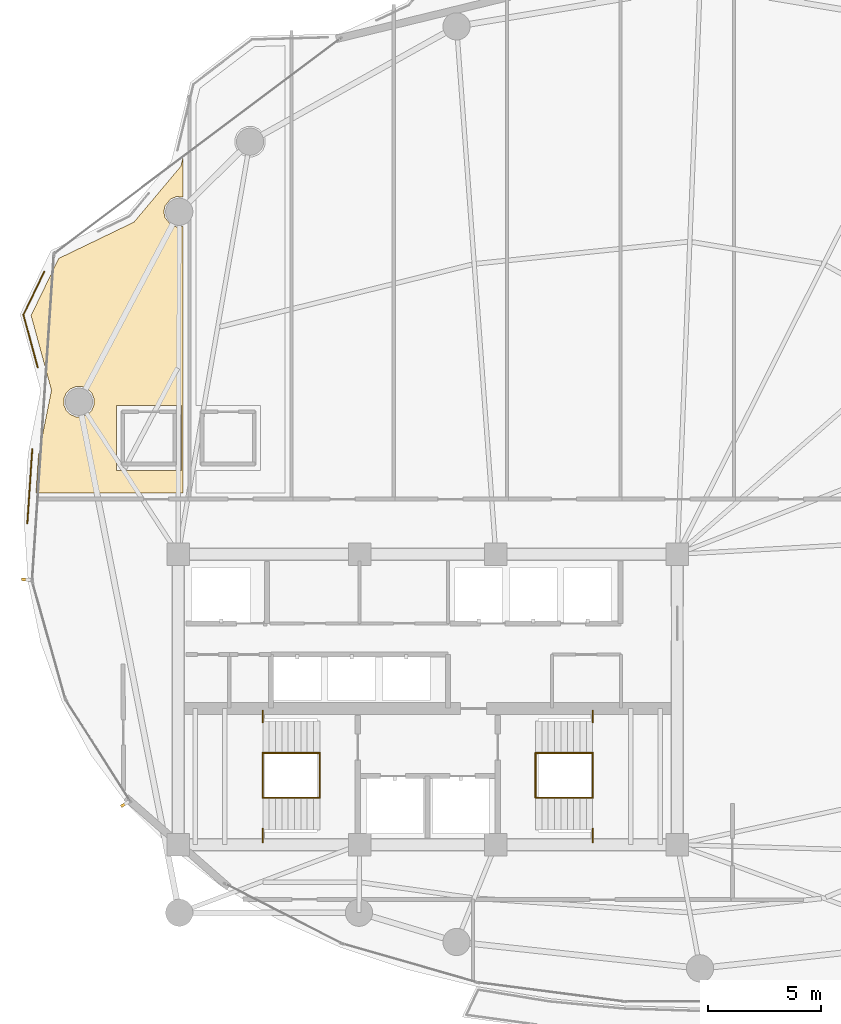
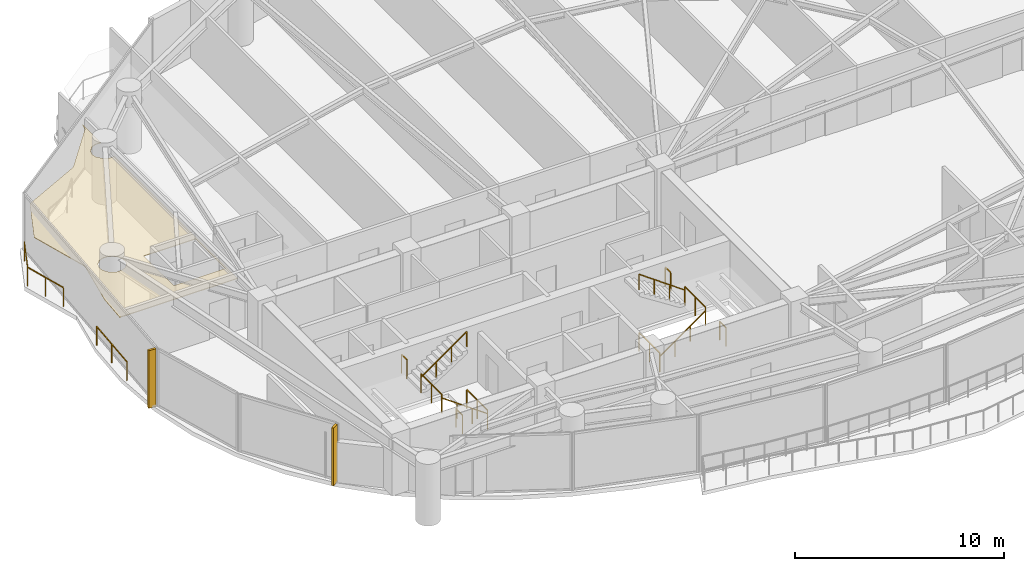
# One storey, part 28 of 30: 14 railings, 2 shading devices, 1 covering.
"""IFC4 building model written with IfcOpenShell, lengths in metres."""

from ifc_helpers import new_model, si_unit, direction, frame, origin, origin_2d, place, context, subcontext, project, spatial, polyline, rectangle, outline, extrude, material, layer, layer_set, type_object, element, save


model = new_model("IFC4")

# Units and contexts
model_context = context("Model", 3, precision=1e-05, world=origin(), true_north=direction((0.0, 1.0)))
body_context = subcontext(model_context, "Body", "Model", "MODEL_VIEW")
ifc_project = project(units=[si_unit("LENGTHUNIT", "METRE"), si_unit("AREAUNIT", "SQUARE_METRE"), si_unit("VOLUMEUNIT", "CUBIC_METRE"), si_unit("PLANEANGLEUNIT", "RADIAN"), si_unit("MASSUNIT", "GRAM", prefix="KILO")], contexts=[model_context])

# Site, building, storey
site_placement = place(None, origin())
site = spatial("IfcSite", under=ifc_project, at=site_placement, CompositionType="ELEMENT")
building_placement = place(site_placement, origin())
building = spatial("IfcBuilding", under=site, at=building_placement, Name="Kazevale Care Tower and Concert Hall", CompositionType="ELEMENT")
storey_placement = place(building_placement, frame((0.0, 0.0, 127.800048828125)))
storey = spatial("IfcBuildingStorey", under=building, at=storey_placement, Name="L33", CompositionType="ELEMENT", Elevation=127.800048828125)

# Covering
ifc_material_1 = material(Name="Acoustic Plaster and Hinoki Wood", Category="wood")
ifc_layer = layer(ifc_material_1, 0.0400390625)
ifc_layer_set = layer_set([ifc_layer], Name="Acoustic Plaster and Hinoki Wood")
covering_type = type_object("IfcCoveringType", Name="Acoustic Perforated Wood-Gypsum Ceiling", PredefinedType="CEILING", material=ifc_layer_set)
covering_placement = place(storey_placement, frame((0.0, 0.0, 2.7099609375)))
element("IfcCovering", 1, at=covering_placement, inside=storey, type_object=covering_type, Name="clg:L33:1", PredefinedType="CEILING", context=body_context, shape_type="SweptSolid", body=[
    extrude(outline(polyline([(15.52099609375, 46.922119140625), (16.738037109375, 49.43505859375), (20.055908203125, 51.035888671875), (22.123046875, 53.4990234375), (22.219970703125, 53.89794921875), (22.219970703125, 52.14599609375), (21.9169921875, 52.156982421875), (21.672119140625, 52.054931640625), (21.422119140625, 51.75), (21.3701171875, 51.489990234375), (21.422119140625, 51.22998046875), (21.672119140625, 50.925048828125), (21.9169921875, 50.822998046875), (22.219970703125, 50.833984375), (22.219970703125, 39.10498046875), (15.73388671875, 39.10498046875), (15.843994140625, 40.760986328125), (16.419921875, 43.6240234375), (15.52099609375, 46.922119140625)]), holes=[polyline([(19.278076171875, 40.094970703125), (22.137939453125, 40.094970703125), (22.137939453125, 42.955078125), (19.278076171875, 42.955078125), (19.278076171875, 40.094970703125)]), polyline([(18.297119140625, 43.2529296875), (18.195068359375, 43.498046875), (18.008056640625, 43.68505859375), (17.762939453125, 43.787109375), (17.4970703125, 43.787109375), (17.251953125, 43.68505859375), (17.06494140625, 43.498046875), (16.962890625, 43.2529296875), (16.962890625, 42.987060546875), (17.06494140625, 42.741943359375), (17.251953125, 42.554931640625), (17.4970703125, 42.452880859375), (17.762939453125, 42.452880859375), (18.008056640625, 42.554931640625), (18.195068359375, 42.741943359375), (18.297119140625, 42.987060546875), (18.297119140625, 43.2529296875)])]), origin(), (0.0, 0.0, 1.0), 0.0400390625),
])

# Railings
ifc_material_2 = material(Name="Anodised Bronze Aluminium and Laminated Glass", Category="aluminium")
railing_type_1 = type_object("IfcRailingType", Name="Balcony and Terrace Balustrade 1120", PredefinedType="BALUSTRADE", material=ifc_material_2)
railing_1_placement = place(storey_placement, frame((15.35498046875, 37.77294921875, 0.0)))
element("IfcRailing", 2, at=railing_1_placement, inside=storey, type_object=railing_type_1, Name="rail:L33:perim:1", PredefinedType="BALUSTRADE", context=body_context, shape_type="SweptSolid", body=[
    extrude(rectangle(XDim=0.048095703125, YDim=0.048095703125, at=origin_2d()), frame((0.0, 0.0, 1.09619140625), z_axis=(0.066667660785, 0.997775236717, 0.0), x_axis=(-0.997775236717, 0.066667660785, 0.0)), (0.0, 0.0, 1.0), 3.270263671875),
    extrude(rectangle(XDim=0.0419921875, YDim=0.0419921875, at=origin_2d()), origin(), (0.0, 0.0, 1.0), 1.072021484375),
    extrude(rectangle(XDim=0.0419921875, YDim=0.0419921875, at=origin_2d()), frame((0.10888671875, 1.63134765625, 0.0)), (0.0, 0.0, 1.0), 1.072021484375),
    extrude(rectangle(XDim=0.0419921875, YDim=0.0419921875, at=origin_2d()), frame((0.218017578125, 3.262939453125, 0.0)), (0.0, 0.0, 1.0), 1.072021484375),
])
railing_2_placement = place(storey_placement, frame((15.81298828125, 44.631103515625, 0.0)))
element("IfcRailing", 3, at=railing_2_placement, inside=storey, type_object=railing_type_1, Name="rail:L33:perim:2", PredefinedType="BALUSTRADE", context=body_context, shape_type="SweptSolid", body=[
    extrude(rectangle(XDim=0.048095703125, YDim=0.048095703125, at=origin_2d()), frame((0.0, 0.0, 1.09619140625), z_axis=(-0.262679540439, 0.96488313232, 0.0), x_axis=(-0.96488313232, -0.262679540439, 0.0)), (0.0, 0.0, 1.0), 2.40625),
    extrude(rectangle(XDim=0.048095703125, YDim=0.048095703125, at=origin_2d()), frame((-0.632080078125, 2.32177734375, 1.09619140625), z_axis=(0.435530489305, 0.900173979232, 0.0), x_axis=(-0.900173979232, 0.435530489305, 0.0)), (0.0, 0.0, 1.0), 2.096435546875),
    extrude(rectangle(XDim=0.0419921875, YDim=0.0419921875, at=origin_2d()), origin(), (0.0, 0.0, 1.0), 1.072021484375),
    extrude(rectangle(XDim=0.0419921875, YDim=0.0419921875, at=origin_2d()), frame((-0.31591796875, 1.160888671875, 0.0)), (0.0, 0.0, 1.0), 1.072021484375),
    extrude(rectangle(XDim=0.0419921875, YDim=0.0419921875, at=origin_2d()), frame((-0.632080078125, 2.32177734375, 0.0)), (0.0, 0.0, 1.0), 1.072021484375),
    extrude(rectangle(XDim=0.0419921875, YDim=0.0419921875, at=origin_2d()), frame((0.281005859375, 4.208984375, 0.0)), (0.0, 0.0, 1.0), 1.072021484375),
])
ifc_material_3 = material(Name="Stainless Steel 316", Category="steel")
railing_type_2 = type_object("IfcRailingType", Name="Stair Pitch Handrail 920", PredefinedType="HANDRAIL", material=ifc_material_3)
railing_3_placement = place(storey_placement, frame((28.25, 25.659912109375, 0.0)))
element("IfcRailing", 4, at=railing_3_placement, inside=storey, type_object=railing_type_2, Name="stair:L33:ST1:hr1", PredefinedType="HANDRAIL", context=body_context, shape_type="SweptSolid", body=[
    extrude(rectangle(XDim=0.048095703125, YDim=0.048095703125, at=origin_2d()), frame((0.0, 0.0, 0.89599609375), z_axis=(-0.813728144527, 0.0, 0.581245650998), x_axis=(0.0, -1.0, 0.0)), (0.0, 0.0, 1.0), 3.096923828125),
    extrude(rectangle(XDim=0.0419921875, YDim=0.0419921875, at=origin_2d()), origin(), (0.0, 0.0, 1.0), 0.871826171875),
    extrude(rectangle(XDim=0.0419921875, YDim=0.0419921875, at=origin_2d()), frame((-0.840087890625, 0.0, 0.60009765625)), (0.0, 0.0, 1.0), 0.871826171875),
    extrude(rectangle(XDim=0.0419921875, YDim=0.0419921875, at=origin_2d()), frame((-1.679931640625, 0.0, 1.199951171875)), (0.0, 0.0, 1.0), 0.871826171875),
    extrude(rectangle(XDim=0.0419921875, YDim=0.0419921875, at=origin_2d()), frame((-2.52001953125, 0.0, 1.800048828125)), (0.0, 0.0, 1.0), 0.871826171875),
])
railing_4_placement = place(storey_placement, frame((25.72998046875, 27.639892578125, 1.800048828125)))
element("IfcRailing", 5, at=railing_4_placement, inside=storey, type_object=railing_type_2, Name="stair:L33:ST1:hr2", PredefinedType="HANDRAIL", context=body_context, shape_type="SweptSolid", body=[
    extrude(rectangle(XDim=0.048095703125, YDim=0.048095703125, at=origin_2d()), frame((0.0, 0.0, 0.89599609375), z_axis=(0.813765431312, 0.0, 0.581193446971), x_axis=(0.0, 1.0, 0.0)), (0.0, 0.0, 1.0), 3.0966796875),
    extrude(rectangle(XDim=0.0419921875, YDim=0.0419921875, at=origin_2d()), origin(), (0.0, 0.0, 1.0), 0.871826171875),
    extrude(rectangle(XDim=0.0419921875, YDim=0.0419921875, at=origin_2d()), frame((0.840087890625, 0.0, 0.599853515625)), (0.0, 0.0, 1.0), 0.871826171875),
    extrude(rectangle(XDim=0.0419921875, YDim=0.0419921875, at=origin_2d()), frame((1.679931640625, 0.0, 1.199951171875)), (0.0, 0.0, 1.0), 0.871826171875),
    extrude(rectangle(XDim=0.0419921875, YDim=0.0419921875, at=origin_2d()), frame((2.52001953125, 0.0, 1.7998046875)), (0.0, 0.0, 1.0), 0.871826171875),
])
railing_5_placement = place(storey_placement, frame((37.75, 25.659912109375, 0.0)))
element("IfcRailing", 6, at=railing_5_placement, inside=storey, type_object=railing_type_2, Name="stair:L33:ST2:hr1", PredefinedType="HANDRAIL", context=body_context, shape_type="SweptSolid", body=[
    extrude(rectangle(XDim=0.048095703125, YDim=0.048095703125, at=origin_2d()), frame((0.0, 0.0, 0.89599609375), z_axis=(0.813728144527, 0.0, 0.581245650998), x_axis=(0.0, 1.0, 0.0)), (0.0, 0.0, 1.0), 3.096923828125),
    extrude(rectangle(XDim=0.0419921875, YDim=0.0419921875, at=origin_2d()), origin(), (0.0, 0.0, 1.0), 0.871826171875),
    extrude(rectangle(XDim=0.0419921875, YDim=0.0419921875, at=origin_2d()), frame((0.840087890625, 0.0, 0.60009765625)), (0.0, 0.0, 1.0), 0.871826171875),
    extrude(rectangle(XDim=0.0419921875, YDim=0.0419921875, at=origin_2d()), frame((1.679931640625, 0.0, 1.199951171875)), (0.0, 0.0, 1.0), 0.871826171875),
    extrude(rectangle(XDim=0.0419921875, YDim=0.0419921875, at=origin_2d()), frame((2.52001953125, 0.0, 1.800048828125)), (0.0, 0.0, 1.0), 0.871826171875),
])
railing_6_placement = place(storey_placement, frame((40.27001953125, 27.639892578125, 1.800048828125)))
element("IfcRailing", 7, at=railing_6_placement, inside=storey, type_object=railing_type_2, Name="stair:L33:ST2:hr2", PredefinedType="HANDRAIL", context=body_context, shape_type="SweptSolid", body=[
    extrude(rectangle(XDim=0.048095703125, YDim=0.048095703125, at=origin_2d()), frame((0.0, 0.0, 0.89599609375), z_axis=(-0.813765431312, 0.0, 0.581193446971), x_axis=(0.0, -1.0, 0.0)), (0.0, 0.0, 1.0), 3.0966796875),
    extrude(rectangle(XDim=0.0419921875, YDim=0.0419921875, at=origin_2d()), origin(), (0.0, 0.0, 1.0), 0.871826171875),
    extrude(rectangle(XDim=0.0419921875, YDim=0.0419921875, at=origin_2d()), frame((-0.840087890625, 0.0, 0.599853515625)), (0.0, 0.0, 1.0), 0.871826171875),
    extrude(rectangle(XDim=0.0419921875, YDim=0.0419921875, at=origin_2d()), frame((-1.679931640625, 0.0, 1.199951171875)), (0.0, 0.0, 1.0), 0.871826171875),
    extrude(rectangle(XDim=0.0419921875, YDim=0.0419921875, at=origin_2d()), frame((-2.52001953125, 0.0, 1.7998046875)), (0.0, 0.0, 1.0), 0.871826171875),
])
railing_type_3 = type_object("IfcRailingType", Name="Stair Well Guard Balustrade 1120", PredefinedType="BALUSTRADE", material=ifc_material_3)
railing_7_placement = place(storey_placement, frame((25.72998046875, 23.699951171875, 1.800048828125)))
element("IfcRailing", 8, at=railing_7_placement, inside=storey, type_object=railing_type_3, Name="stair:L33:ST1:grd_side1", PredefinedType="BALUSTRADE", context=body_context, shape_type="SweptSolid", body=[
    extrude(rectangle(XDim=0.048095703125, YDim=0.048095703125, at=origin_2d()), frame((0.0, 0.0, 1.09619140625), z_axis=(0.0, 1.0, 0.0), x_axis=(-1.0, 0.0, 0.0)), (0.0, 0.0, 1.0), 0.610107421875),
    extrude(rectangle(XDim=0.0419921875, YDim=0.0419921875, at=origin_2d()), origin(), (0.0, 0.0, 1.0), 1.072021484375),
    extrude(rectangle(XDim=0.0419921875, YDim=0.0419921875, at=origin_2d()), frame((0.0, 0.610107421875, 0.0)), (0.0, 0.0, 1.0), 1.072021484375),
])
railing_8_placement = place(storey_placement, frame((25.72998046875, 28.989990234375, 1.800048828125)))
element("IfcRailing", 9, at=railing_8_placement, inside=storey, type_object=railing_type_3, Name="stair:L33:ST1:grd_side2", PredefinedType="BALUSTRADE", context=body_context, shape_type="SweptSolid", body=[
    extrude(rectangle(XDim=0.048095703125, YDim=0.048095703125, at=origin_2d()), frame((0.0, 0.0, 1.09619140625), z_axis=(0.0, 1.0, 0.0), x_axis=(-1.0, 0.0, 0.0)), (0.0, 0.0, 1.0), 0.510009765625),
    extrude(rectangle(XDim=0.0419921875, YDim=0.0419921875, at=origin_2d()), origin(), (0.0, 0.0, 1.0), 1.072021484375),
    extrude(rectangle(XDim=0.0419921875, YDim=0.0419921875, at=origin_2d()), frame((0.0, 0.510009765625, 0.0)), (0.0, 0.0, 1.0), 1.072021484375),
])
for number, where, name in (
    (10, (25.72998046875, 25.659912109375, 1.800048828125), "stair:L33:ST1:grd_mid"),
    (11, (28.25, 25.659912109375, 0.0), "stair:L33:ST1:grd_flr"),
):
    element("IfcRailing", number, at=place(storey_placement, frame(where)), inside=storey, type_object=railing_type_3, Name=name, PredefinedType="BALUSTRADE", context=body_context, shape_type="SweptSolid", body=[
        extrude(rectangle(XDim=0.048095703125, YDim=0.048095703125, at=origin_2d()), frame((0.0, 0.0, 1.09619140625), z_axis=(0.0, 1.0, 0.0), x_axis=(-1.0, 0.0, 0.0)), (0.0, 0.0, 1.0), 1.97998046875),
        extrude(rectangle(XDim=0.0419921875, YDim=0.0419921875, at=origin_2d()), origin(), (0.0, 0.0, 1.0), 1.072021484375),
        extrude(rectangle(XDim=0.0419921875, YDim=0.0419921875, at=origin_2d()), frame((0.0, 0.989990234375, 0.0)), (0.0, 0.0, 1.0), 1.072021484375),
        extrude(rectangle(XDim=0.0419921875, YDim=0.0419921875, at=origin_2d()), frame((0.0, 1.97998046875, 0.0)), (0.0, 0.0, 1.0), 1.072021484375),
    ])
railing_9_placement = place(storey_placement, frame((40.27001953125, 23.699951171875, 1.800048828125)))
element("IfcRailing", 12, at=railing_9_placement, inside=storey, type_object=railing_type_3, Name="stair:L33:ST2:grd_side1", PredefinedType="BALUSTRADE", context=body_context, shape_type="SweptSolid", body=[
    extrude(rectangle(XDim=0.048095703125, YDim=0.048095703125, at=origin_2d()), frame((0.0, 0.0, 1.09619140625), z_axis=(0.0, 1.0, 0.0), x_axis=(-1.0, 0.0, 0.0)), (0.0, 0.0, 1.0), 0.610107421875),
    extrude(rectangle(XDim=0.0419921875, YDim=0.0419921875, at=origin_2d()), origin(), (0.0, 0.0, 1.0), 1.072021484375),
    extrude(rectangle(XDim=0.0419921875, YDim=0.0419921875, at=origin_2d()), frame((0.0, 0.610107421875, 0.0)), (0.0, 0.0, 1.0), 1.072021484375),
])
railing_10_placement = place(storey_placement, frame((40.27001953125, 28.989990234375, 1.800048828125)))
element("IfcRailing", 13, at=railing_10_placement, inside=storey, type_object=railing_type_3, Name="stair:L33:ST2:grd_side2", PredefinedType="BALUSTRADE", context=body_context, shape_type="SweptSolid", body=[
    extrude(rectangle(XDim=0.048095703125, YDim=0.048095703125, at=origin_2d()), frame((0.0, 0.0, 1.09619140625), z_axis=(0.0, 1.0, 0.0), x_axis=(-1.0, 0.0, 0.0)), (0.0, 0.0, 1.0), 0.510009765625),
    extrude(rectangle(XDim=0.0419921875, YDim=0.0419921875, at=origin_2d()), origin(), (0.0, 0.0, 1.0), 1.072021484375),
    extrude(rectangle(XDim=0.0419921875, YDim=0.0419921875, at=origin_2d()), frame((0.0, 0.510009765625, 0.0)), (0.0, 0.0, 1.0), 1.072021484375),
])
for number, where, name in (
    (14, (40.27001953125, 25.659912109375, 1.800048828125), "stair:L33:ST2:grd_mid"),
    (15, (37.75, 25.659912109375, 0.0), "stair:L33:ST2:grd_flr"),
):
    element("IfcRailing", number, at=place(storey_placement, frame(where)), inside=storey, type_object=railing_type_3, Name=name, PredefinedType="BALUSTRADE", context=body_context, shape_type="SweptSolid", body=[
        extrude(rectangle(XDim=0.048095703125, YDim=0.048095703125, at=origin_2d()), frame((0.0, 0.0, 1.09619140625), z_axis=(0.0, 1.0, 0.0), x_axis=(-1.0, 0.0, 0.0)), (0.0, 0.0, 1.0), 1.97998046875),
        extrude(rectangle(XDim=0.0419921875, YDim=0.0419921875, at=origin_2d()), origin(), (0.0, 0.0, 1.0), 1.072021484375),
        extrude(rectangle(XDim=0.0419921875, YDim=0.0419921875, at=origin_2d()), frame((0.0, 0.989990234375, 0.0)), (0.0, 0.0, 1.0), 1.072021484375),
        extrude(rectangle(XDim=0.0419921875, YDim=0.0419921875, at=origin_2d()), frame((0.0, 1.97998046875, 0.0)), (0.0, 0.0, 1.0), 1.072021484375),
    ])

# Shading devices
ifc_material_4 = material(Name="Honed Ochre Limestone", Category="masonry")
shading_device_type = type_object("IfcShadingDeviceType", Name="Vertical Honed Limestone Fin FIN-01", PredefinedType="USERDEFINED", material=ifc_material_4)
for number, where, z_axis, x_axis, name in (
    (16, (19.649658203125, 25.387451171875, 0.0), (0.0, 0.0, 1.0), (-0.843391445813, -0.537299608347, 0.0), "cw:L33:f11:fin"),
    (17, (15.293212890625, 35.2802734375, 0.0), (0.0, 0.0, 1.0), (-0.997778273548, 0.066622194773, 0.0), "cw:L33:f13:fin"),
):
    element("IfcShadingDevice", number, at=place(storey_placement, frame(where, z_axis=z_axis, x_axis=x_axis)), inside=storey, type_object=shading_device_type, Name=name, ObjectType="FIN", PredefinedType="USERDEFINED", context=body_context, shape_type="SweptSolid", body=[
        extrude(rectangle(XDim=0.3798828125, YDim=0.1201171875, at=origin_2d()), origin(), (0.0, 0.0, 1.0), 3.360107421875),
    ])

save(model, "model.ifc")
